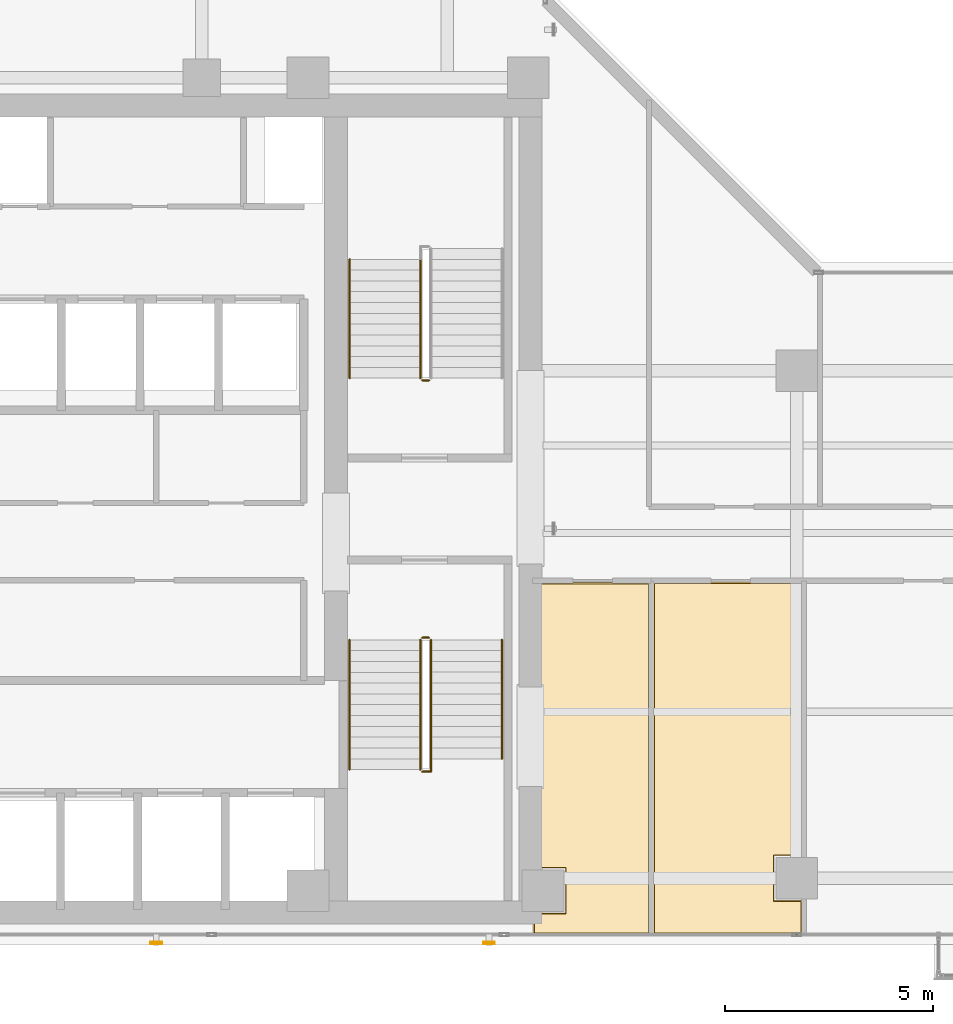
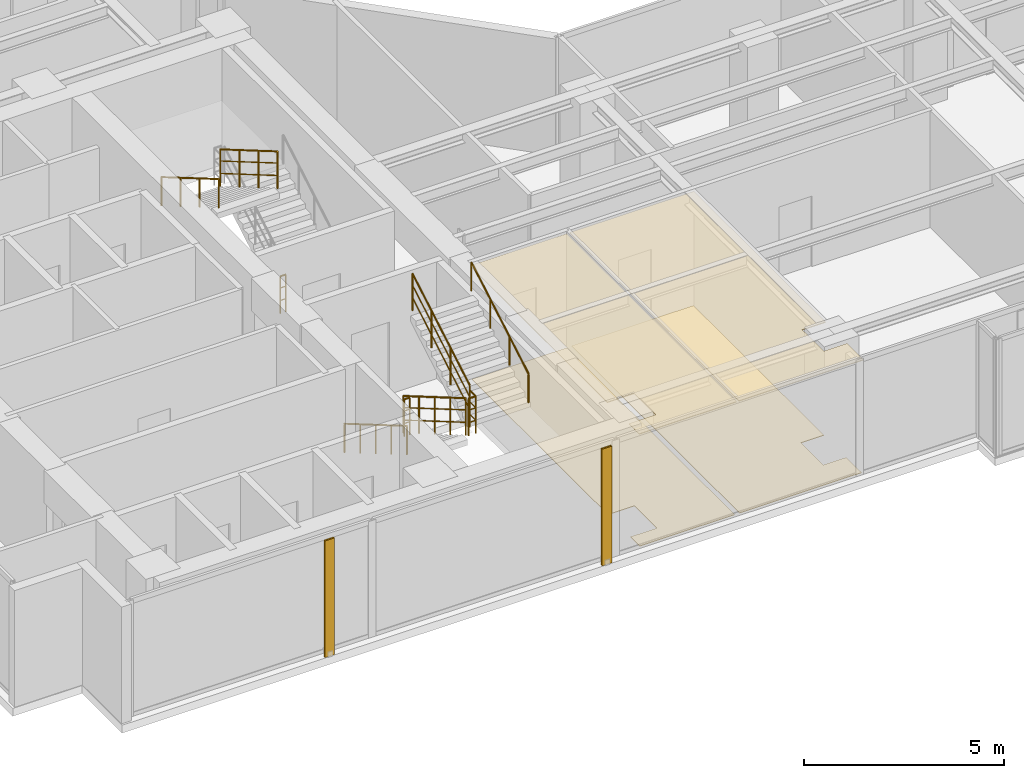
# One storey, part 20 of 23: 9 railings, 4 coverings, 2 shading devices.
"""IFC4 building model written with IfcOpenShell, lengths in metres."""

import ifcopenshell
import ifcopenshell.guid

model = None  # the IFC model being written
_history = None  # IfcOwnerHistory: only IFC2X3 demands one
_inside = {}  # id of a spatial element -> (the spatial element, [elements in it])
_under = {}  # id of a project, library or spatial element -> (it, [spatial elements below it])
_declared = {}  # id of a project -> (the project, [libraries it declares])
_typed = {}  # id of a type object -> (the type object, [elements of that type])
_made_of = {}  # id of a material, layer set ... -> (it, [elements and type objects made of it])


def new_model(schema):
    """Start an empty IFC model of exactly this schema.

    Asked for "IFC4X3", IfcOpenShell would pick the latest addendum, in which some entities
    have other attributes; the version numbers below select the first issue.
    IFC2X3 requires an IfcOwnerHistory on every rooted entity: one is made here for all.
    """
    global model, _history
    if schema == "IFC4X3":
        model = ifcopenshell.file(schema_version=(4, 3, 0, 0))
    else:
        model = ifcopenshell.file(schema=schema)
    _inside.clear()
    _under.clear()
    _declared.clear()
    _typed.clear()
    _made_of.clear()
    _history = None
    if model.schema == "IFC2X3":
        org = make("IfcOrganization", Name="unknown")
        user = make(
            "IfcPersonAndOrganization",
            ThePerson=make("IfcPerson", FamilyName="unknown"),
            TheOrganization=org,
        )
        app = make(
            "IfcApplication",
            ApplicationDeveloper=org,
            Version="unknown",
            ApplicationFullName="unknown",
            ApplicationIdentifier="unknown",
        )
        _history = make(
            "IfcOwnerHistory",
            OwningUser=user,
            OwningApplication=app,
            ChangeAction="ADDED",
            CreationDate=0,
        )
    return model


def make(cls, **values):
    """One entity of the class cls with the attributes given. An attribute that is None is left unset."""
    return model.create_entity(
        cls, **{name: value for name, value in values.items() if value is not None}
    )


def rooted(cls, **values):
    """An entity with a GlobalId (a new one), such as an element, a storey or a relation."""
    return make(cls, GlobalId=ifcopenshell.guid.new(), OwnerHistory=_history, **values)


def si_unit(unit_type, name, prefix=None):
    """IfcSIUnit, for example si_unit("LENGTHUNIT", "METRE", prefix="MILLI")."""
    return make("IfcSIUnit", UnitType=unit_type, Prefix=prefix, Name=name)


def assignment(units):
    """IfcUnitAssignment: the units of a project."""
    return None if units is None else make("IfcUnitAssignment", Units=units)


def point(xyz):
    """IfcCartesianPoint."""
    return None if xyz is None else make("IfcCartesianPoint", Coordinates=xyz)


def direction(xyz):
    """IfcDirection."""
    return None if xyz is None else make("IfcDirection", DirectionRatios=xyz)


def frame(location, z_axis=None, x_axis=None):
    """IfcAxis2Placement3D, a coordinate frame: its origin and axes. An axis left out is left unset."""
    return make(
        "IfcAxis2Placement3D",
        Location=point(location),
        Axis=direction(z_axis),
        RefDirection=direction(x_axis),
    )


def frame_2d(location, x_axis=None):
    """IfcAxis2Placement2D, a coordinate frame in the plane: its origin and x axis."""
    return make(
        "IfcAxis2Placement2D", Location=point(location), RefDirection=direction(x_axis)
    )


def origin():
    """The frame at (0, 0, 0) with its axes left unset."""
    return frame((0.0, 0.0, 0.0))


def origin_2d():
    """The frame at (0, 0) in the plane with its x axis left unset."""
    return frame_2d((0.0, 0.0))


def place(relative_to, where):
    """IfcLocalPlacement: puts the frame where relative to a parent placement (None: the world)."""
    return make(
        "IfcLocalPlacement", PlacementRelTo=relative_to, RelativePlacement=where
    )


def context(
    kind, dimensions, precision=None, world=None, true_north=None, identifier=None
):
    """IfcGeometricRepresentationContext, for example the 3D "Model" context."""
    return make(
        "IfcGeometricRepresentationContext",
        ContextIdentifier=identifier,
        ContextType=kind,
        CoordinateSpaceDimension=dimensions,
        Precision=precision,
        WorldCoordinateSystem=world,
        TrueNorth=true_north,
    )


def subcontext(parent, identifier, kind, view, scale=None):
    """IfcGeometricRepresentationSubContext, for example "Body" below "Model"."""
    return make(
        "IfcGeometricRepresentationSubContext",
        ContextIdentifier=identifier,
        ContextType=kind,
        ParentContext=parent,
        TargetScale=scale,
        TargetView=view,
    )


def project(units=None, contexts=None):
    """IfcProject with its units and contexts."""
    return rooted(
        "IfcProject",
        Name="project",
        RepresentationContexts=contexts,
        UnitsInContext=assignment(units),
    )


def spatial(cls, under=None, at=None, **own):
    """A site, building, storey or space (cls), placed at a placement, below another one or the project."""
    s = rooted(cls, ObjectPlacement=at, **own)
    if under is not None:
        _under.setdefault(under.id(), (under, []))[1].append(s)
    return s


def polyline(points):
    """IfcPolyline through the points."""
    return make("IfcPolyline", Points=[point(p) for p in points])


def profile(cls, at=None, kind="AREA", **sizes):
    """A parametric profile (cls). Its sizes go by their IFC names, for example OverallWidth=200.0."""
    return make(cls, ProfileType=kind, Position=at, **sizes)


def hollow_rectangle(**sizes):
    """IfcRectangleHollowProfileDef."""
    return profile("IfcRectangleHollowProfileDef", **sizes)


def circle(**sizes):
    """IfcCircleProfileDef."""
    return profile("IfcCircleProfileDef", **sizes)


def outline(outer, holes=None, kind="AREA"):
    """IfcArbitraryClosedProfileDef: a profile drawn as a closed curve; with holes, ...WithVoids."""
    if holes is None:
        return make("IfcArbitraryClosedProfileDef", ProfileType=kind, OuterCurve=outer)
    return make(
        "IfcArbitraryProfileDefWithVoids",
        ProfileType=kind,
        OuterCurve=outer,
        InnerCurves=holes,
    )


def extrude(swept, where, along, depth):
    """IfcExtrudedAreaSolid: the profile swept, set in the frame where, extruded along a direction by depth."""
    return make(
        "IfcExtrudedAreaSolid",
        SweptArea=swept,
        Position=where,
        ExtrudedDirection=direction(along),
        Depth=depth,
    )


def shape(context_of_items, identifier, shape_type, items):
    """IfcShapeRepresentation: the items that make up one representation, for example the "Body"."""
    return make(
        "IfcShapeRepresentation",
        ContextOfItems=context_of_items,
        RepresentationIdentifier=identifier,
        RepresentationType=shape_type,
        Items=items,
    )


def material(Name=None, Category=None):
    """IfcMaterial."""
    return make("IfcMaterial", Name=Name, Category=Category)


def layer(
    of_material, thickness, ventilated=None, Name=None, Category=None, Priority=None
):
    """IfcMaterialLayer: one layer of a wall or slab, of a material (None: an air gap)."""
    return make(
        "IfcMaterialLayer",
        Material=of_material,
        LayerThickness=thickness,
        IsVentilated=ventilated,
        Name=Name,
        Category=Category,
        Priority=Priority,
    )


def layer_set(layers, Name=None):
    """IfcMaterialLayerSet."""
    return make("IfcMaterialLayerSet", MaterialLayers=layers, LayerSetName=Name)


def material_profile(
    of_material, cross_section, Name=None, Category=None, Priority=None
):
    """IfcMaterialProfile: a cross section and its material."""
    return make(
        "IfcMaterialProfile",
        Name=Name,
        Material=of_material,
        Profile=cross_section,
        Priority=Priority,
        Category=Category,
    )


def profile_set(profiles, Name=None, composite=None):
    """IfcMaterialProfileSet."""
    return make(
        "IfcMaterialProfileSet",
        Name=Name,
        MaterialProfiles=profiles,
        CompositeProfile=composite,
    )


def made_of(thing, what):
    """Note that an element or type object is made of a material, layer set ...; save() writes the relation."""
    if what is not None:
        _made_of.setdefault(what.id(), (what, []))[1].append(thing)
    return thing


def type_object(cls, material=None, **own):
    """A type object (cls), such as IfcWallType, which elements share."""
    return made_of(rooted(cls, **own), material)


def element(
    cls,
    number,
    at=None,
    inside=None,
    cuts=None,
    type_object=None,
    material=None,
    context=None,
    identifier="Body",
    shape_type=None,
    held_by="IfcProductDefinitionShape",
    body=None,
    shapes=None,
    **own,
):
    """One element of the class cls, such as IfcWall. Its Tag is "e" and its number.

    at: its placement. inside: the storey or other place that contains it. cuts: it is an
    opening in that element (IfcRelVoidsElement). A single representation is given by context,
    identifier, shape_type and body (its items); several are given by shapes. held_by: the class
    of the entity that holds the representations. save() writes the other relations.
    """
    e = rooted(cls, Tag="e%d" % number, ObjectPlacement=at, **own)
    if body is not None:
        shapes = [shape(context, identifier, shape_type, body)]
    if shapes is not None:
        e.Representation = make(held_by, Representations=shapes)
    if inside is not None:
        _inside.setdefault(inside.id(), (inside, []))[1].append(e)
    if cuts is not None:
        rooted(
            "IfcRelVoidsElement", RelatingBuildingElement=cuts, RelatedOpeningElement=e
        )
    if type_object is not None:
        _typed.setdefault(type_object.id(), (type_object, []))[1].append(e)
    return made_of(e, material)


def aggregate(whole, parts):
    """IfcRelAggregates: a whole, such as a stair, and the parts it consists of."""
    return rooted("IfcRelAggregates", RelatingObject=whole, RelatedObjects=parts)


def save(model, path):
    """Write the relations noted so far, then the file.

    IfcRelAggregates (storeys below a building ...), IfcRelContainedInSpatialStructure (elements
    in a storey), IfcRelDefinesByType, IfcRelAssociatesMaterial and IfcRelDeclares: one each for
    every whole, place, type object, material and project.
    """
    for whole, parts in _under.values():
        aggregate(whole, parts)
    for where, things in _inside.values():
        rooted(
            "IfcRelContainedInSpatialStructure",
            RelatedElements=things,
            RelatingStructure=where,
        )
    for kind, things in _typed.values():
        rooted("IfcRelDefinesByType", RelatedObjects=things, RelatingType=kind)
    for what, things in _made_of.values():
        rooted("IfcRelAssociatesMaterial", RelatedObjects=things, RelatingMaterial=what)
    for by, libraries in _declared.values():
        rooted("IfcRelDeclares", RelatingContext=by, RelatedDefinitions=libraries)
    model.write(path)


model = new_model("IFC4")

# Units and contexts
model_context = context("Model", 3, precision=1e-05, world=origin(), true_north=direction((0.0, 1.0)))
body_context = subcontext(model_context, "Body", "Model", "MODEL_VIEW")
ifc_project = project(units=[si_unit("LENGTHUNIT", "METRE"), si_unit("AREAUNIT", "SQUARE_METRE"), si_unit("VOLUMEUNIT", "CUBIC_METRE"), si_unit("PLANEANGLEUNIT", "RADIAN"), si_unit("MASSUNIT", "GRAM", prefix="KILO")], contexts=[model_context])

# Site, building, storey
site_placement = place(None, origin())
site = spatial("IfcSite", under=ifc_project, at=site_placement, CompositionType="ELEMENT")
building_placement = place(site_placement, origin())
building = spatial("IfcBuilding", under=site, at=building_placement, Name="Kolvaren Waterfront Exchange", CompositionType="ELEMENT")
storey_placement = place(building_placement, frame((0.0, 0.0, 234.89990234375)))
storey = spatial("IfcBuildingStorey", under=building, at=storey_placement, Name="L60", CompositionType="ELEMENT", Elevation=234.89990234375)

# Coverings
ifc_material_1 = material(Name="Mineral fibre acoustic ceiling tile")
ifc_layer_1 = layer(ifc_material_1, 0.02490234375, Name="Mineral fibre acoustic ceiling tile")
ifc_layer_set_1 = layer_set([ifc_layer_1], Name="Mineral fibre acoustic ceiling tile")
covering_type_1 = type_object("IfcCoveringType", Name="ARC-CEIL-ACOUSTIC-25", PredefinedType="CEILING", material=ifc_layer_set_1)
covering_1_placement = place(storey_placement, frame((0.0, 0.0, 3.445068359375)))
element("IfcCovering", 1, at=covering_1_placement, inside=storey, type_object=covering_type_1, Name="L60 acoustic suspended ceiling 2", PredefinedType="CEILING", context=body_context, shape_type="SweptSolid", body=[
    extrude(outline(polyline([(20.864990234375, 5.43994140625), (21.639892578125, 5.43994140625), (21.639892578125, 4.360107421875), (20.864990234375, 4.360107421875), (20.864990234375, 3.844970703125), (23.675048828125, 3.844970703125), (23.675048828125, 12.304931640625), (20.864990234375, 12.304931640625), (20.864990234375, 5.43994140625)])), origin(), (0.0, 0.0, 1.0), 0.025146484375),
])
covering_2_placement = place(storey_placement, frame((0.0, 0.0, 3.445068359375)))
element("IfcCovering", 2, at=covering_2_placement, inside=storey, type_object=covering_type_1, Name="L60 acoustic suspended ceiling 3", PredefinedType="CEILING", context=body_context, shape_type="SweptSolid", body=[
    extrude(outline(polyline([(27.3349609375, 4.659912109375), (26.659912109375, 4.659912109375), (26.659912109375, 5.739990234375), (27.3349609375, 5.739990234375), (27.3349609375, 12.31494140625), (23.7451171875, 12.31494140625), (23.7451171875, 3.844970703125), (27.3349609375, 3.844970703125), (27.3349609375, 4.659912109375)])), origin(), (0.0, 0.0, 1.0), 0.025146484375),
])

# Shading devices
ifc_material_2 = material(Name="Anodised bronze aluminium 6063-T6", Category="aluminium")
ifc_material_profile = material_profile(ifc_material_2, hollow_rectangle(XDim=0.054931640625, YDim=0.280029296875, WallThickness=0.00439453125, at=origin_2d()), Name="BRZ-FIN-280x55x4.5")
ifc_profile_set = profile_set([ifc_material_profile], Name="Anodised bronze aluminium 6063-T6")
shading_device_type = type_object("IfcShadingDeviceType", Name="ARC-FIN-280", PredefinedType="USERDEFINED", material=ifc_profile_set)
for number, where, z_axis, x_axis, name in (
    (3, (11.800048828125, 3.639892578125, 0.0), (0.0, 0.0, 1.0), (0.0, -1.0, 0.0), "L60 anodised bronze solar shading fin FIN-L60-S1"),
    (4, (19.800048828125, 3.639892578125, 0.0), (0.0, 0.0, 1.0), (0.0, -1.0, 0.0), "L60 anodised bronze solar shading fin FIN-L60-S2"),
):
    element("IfcShadingDevice", number, at=place(storey_placement, frame(where, z_axis=z_axis, x_axis=x_axis)), inside=storey, type_object=shading_device_type, Name=name, ObjectType="SOLAR FIN", PredefinedType="USERDEFINED", context=body_context, shape_type="SweptSolid", body=[
        extrude(hollow_rectangle(XDim=0.054931640625, YDim=0.280029296875, WallThickness=0.00439453125, at=origin_2d()), origin(), (0.0, 0.0, 1.0), 3.56005859375),
    ])

# Coverings
ifc_material_3 = material(Name="Slip-resistant porcelain tile")
ifc_layer_2 = layer(ifc_material_3, 0.014892578125, Name="Slip-resistant porcelain tile")
ifc_layer_set_2 = layer_set([ifc_layer_2], Name="Slip-resistant porcelain tile")
covering_type_2 = type_object("IfcCoveringType", Name="ARC-FLR-PORC-15", PredefinedType="FLOORING", material=ifc_layer_set_2)
covering_3_placement = place(storey_placement, origin())
element("IfcCovering", 5, at=covering_3_placement, inside=storey, type_object=covering_type_2, Name="L60 floor finish 2", PredefinedType="FLOORING", context=body_context, shape_type="SweptSolid", body=[
    extrude(outline(polyline([(20.89990234375, 4.340087890625), (20.89990234375, 3.8798828125), (23.639892578125, 3.8798828125), (23.639892578125, 12.27001953125), (20.89990234375, 12.27001953125), (20.89990234375, 5.4599609375), (21.659912109375, 5.4599609375), (21.659912109375, 4.340087890625), (20.89990234375, 4.340087890625)])), origin(), (0.0, 0.0, 1.0), 0.01513671875),
])
covering_4_placement = place(storey_placement, origin())
element("IfcCovering", 6, at=covering_4_placement, inside=storey, type_object=covering_type_2, Name="L60 floor finish 3", PredefinedType="FLOORING", context=body_context, shape_type="SweptSolid", body=[
    extrude(outline(polyline([(23.780029296875, 12.280029296875), (23.780029296875, 3.8798828125), (27.300048828125, 3.8798828125), (27.300048828125, 4.639892578125), (26.639892578125, 4.639892578125), (26.639892578125, 5.760009765625), (27.300048828125, 5.760009765625), (27.300048828125, 12.280029296875), (23.780029296875, 12.280029296875)])), origin(), (0.0, 0.0, 1.0), 0.01513671875),
])

# Railings
ifc_material_4 = material(Name="Stainless steel 316", Category="steel")
railing_type_1 = type_object("IfcRailingType", Name="ARC-GUARD-STAIR", PredefinedType="GUARDRAIL", material=ifc_material_4)
railing_1_placement = place(storey_placement, frame((18.14990234375, 10.929931640625, 0.152099609375)))
element("IfcRailing", 7, at=railing_1_placement, inside=storey, type_object=railing_type_1, Name="L60 ST1 stair guard 1", PredefinedType="GUARDRAIL", context=body_context, shape_type="SweptSolid", body=[
    extrude(circle(Radius=0.02392578125, at=origin_2d()), frame((0.0, 0.0, 1.1259765625), z_axis=(0.0, -0.86329090724, 0.504706656858), x_axis=(1.0, 0.0, 0.0)), (0.0, 0.0, 1.0), 3.614013671875),
    extrude(circle(Radius=0.01611328125, at=origin_2d()), frame((0.0, 0.0, 0.390869140625), z_axis=(0.0, -0.86329090724, 0.504706656858), x_axis=(1.0, 0.0, 0.0)), (0.0, 0.0, 1.0), 3.614013671875),
    extrude(circle(Radius=0.01611328125, at=origin_2d()), frame((0.0, 0.0, 0.7705078125), z_axis=(0.0, -0.86329090724, 0.504706656858), x_axis=(1.0, 0.0, 0.0)), (0.0, 0.0, 1.0), 3.614013671875),
    extrude(circle(Radius=0.02099609375, at=origin_2d()), origin(), (0.0, 0.0, 1.0), 1.101806640625),
    extrude(circle(Radius=0.02099609375, at=origin_2d()), frame((0.0, -0.780029296875, 0.4560546875)), (0.0, 0.0, 1.0), 1.101806640625),
    extrude(circle(Radius=0.02099609375, at=origin_2d()), frame((0.0, -1.56005859375, 0.912109375)), (0.0, 0.0, 1.0), 1.101806640625),
    extrude(circle(Radius=0.02099609375, at=origin_2d()), frame((0.0, -2.33984375, 1.367919921875)), (0.0, 0.0, 1.0), 1.101806640625),
    extrude(circle(Radius=0.02099609375, at=origin_2d()), frame((0.0, -3.119873046875, 1.823974609375)), (0.0, 0.0, 1.0), 1.101806640625),
])
railing_2_placement = place(storey_placement, frame((18.199951171875, 7.760009765625, 1.97607421875)))
element("IfcRailing", 8, at=railing_2_placement, inside=storey, type_object=railing_type_1, Name="L60 ST1 stair guard 2", PredefinedType="GUARDRAIL", context=body_context, shape_type="SweptSolid", body=[
    extrude(circle(Radius=0.02392578125, at=origin_2d()), frame((0.0, 0.0, 1.1259765625), z_axis=(1.0, 0.0, 0.0), x_axis=(0.0, 1.0, 0.0)), (0.0, 0.0, 1.0), 0.2099609375),
    extrude(circle(Radius=0.01611328125, at=origin_2d()), frame((0.0, 0.0, 0.390869140625), z_axis=(1.0, 0.0, 0.0), x_axis=(0.0, 1.0, 0.0)), (0.0, 0.0, 1.0), 0.2099609375),
    extrude(circle(Radius=0.01611328125, at=origin_2d()), frame((0.0, 0.0, 0.7705078125), z_axis=(1.0, 0.0, 0.0), x_axis=(0.0, 1.0, 0.0)), (0.0, 0.0, 1.0), 0.2099609375),
    extrude(circle(Radius=0.02392578125, at=origin_2d()), frame((0.2099609375, 0.0, 1.1259765625), z_axis=(0.0, 1.0, 0.0), x_axis=(-1.0, 0.0, 0.0)), (0.0, 0.0, 1.0), 0.31005859375),
    extrude(circle(Radius=0.01611328125, at=origin_2d()), frame((0.2099609375, 0.0, 0.390869140625), z_axis=(0.0, 1.0, 0.0), x_axis=(-1.0, 0.0, 0.0)), (0.0, 0.0, 1.0), 0.31005859375),
    extrude(circle(Radius=0.01611328125, at=origin_2d()), frame((0.2099609375, 0.0, 0.7705078125), z_axis=(0.0, 1.0, 0.0), x_axis=(-1.0, 0.0, 0.0)), (0.0, 0.0, 1.0), 0.31005859375),
    extrude(circle(Radius=0.02099609375, at=origin_2d()), origin(), (0.0, 0.0, 1.0), 1.101806640625),
    extrude(circle(Radius=0.02099609375, at=origin_2d()), frame((0.2099609375, 0.0, 0.0)), (0.0, 0.0, 1.0), 1.101806640625),
    extrude(circle(Radius=0.02099609375, at=origin_2d()), frame((0.2099609375, 0.31005859375, 0.0)), (0.0, 0.0, 1.0), 1.101806640625),
])
railing_3_placement = place(storey_placement, frame((18.409912109375, 8.070068359375, 2.128173828125)))
element("IfcRailing", 9, at=railing_3_placement, inside=storey, type_object=railing_type_1, Name="L60 ST1 stair guard 3", PredefinedType="GUARDRAIL", context=body_context, shape_type="SweptSolid", body=[
    extrude(circle(Radius=0.02392578125, at=origin_2d()), frame((0.0, 0.0, 1.1259765625), z_axis=(0.0, 0.86330272217, 0.504686447108), x_axis=(-1.0, 0.0, 0.0)), (0.0, 0.0, 1.0), 3.312744140625),
    extrude(circle(Radius=0.01611328125, at=origin_2d()), frame((0.0, 0.0, 0.390869140625), z_axis=(0.0, 0.86330272217, 0.504686447108), x_axis=(-1.0, 0.0, 0.0)), (0.0, 0.0, 1.0), 3.312744140625),
    extrude(circle(Radius=0.01611328125, at=origin_2d()), frame((0.0, 0.0, 0.7705078125), z_axis=(0.0, 0.86330272217, 0.504686447108), x_axis=(-1.0, 0.0, 0.0)), (0.0, 0.0, 1.0), 3.312744140625),
    extrude(circle(Radius=0.02099609375, at=origin_2d()), origin(), (0.0, 0.0, 1.0), 1.101806640625),
    extrude(circle(Radius=0.02099609375, at=origin_2d()), frame((0.0, 0.953369140625, 0.557373046875)), (0.0, 0.0, 1.0), 1.101806640625),
    extrude(circle(Radius=0.02099609375, at=origin_2d()), frame((0.0, 1.906494140625, 1.114501953125)), (0.0, 0.0, 1.0), 1.101806640625),
    extrude(circle(Radius=0.02099609375, at=origin_2d()), frame((0.0, 2.85986328125, 1.671875)), (0.0, 0.0, 1.0), 1.101806640625),
])
railing_4_placement = place(storey_placement, frame((18.199951171875, 10.97998046875, 0.0)))
element("IfcRailing", 10, at=railing_4_placement, inside=storey, type_object=railing_type_1, Name="L60 ST1 stair guard 4", PredefinedType="GUARDRAIL", context=body_context, shape_type="SweptSolid", body=[
    extrude(circle(Radius=0.02392578125, at=origin_2d()), frame((0.0, 0.0, 1.1259765625), z_axis=(1.0, 0.0, 0.0), x_axis=(0.0, 1.0, 0.0)), (0.0, 0.0, 1.0), 0.16015625),
    extrude(circle(Radius=0.01611328125, at=origin_2d()), frame((0.0, 0.0, 0.390869140625), z_axis=(1.0, 0.0, 0.0), x_axis=(0.0, 1.0, 0.0)), (0.0, 0.0, 1.0), 0.16015625),
    extrude(circle(Radius=0.01611328125, at=origin_2d()), frame((0.0, 0.0, 0.7705078125), z_axis=(1.0, 0.0, 0.0), x_axis=(0.0, 1.0, 0.0)), (0.0, 0.0, 1.0), 0.16015625),
    extrude(circle(Radius=0.02099609375, at=origin_2d()), origin(), (0.0, 0.0, 1.0), 1.101806640625),
    extrude(circle(Radius=0.02099609375, at=origin_2d()), frame((0.16015625, 0.0, 0.0)), (0.0, 0.0, 1.0), 1.101806640625),
])
railing_5_placement = place(storey_placement, frame((18.14990234375, 20.080078125, 2.128173828125)))
element("IfcRailing", 11, at=railing_5_placement, inside=storey, type_object=railing_type_1, Name="L60 ST2 stair guard 3", PredefinedType="GUARDRAIL", context=body_context, shape_type="SweptSolid", body=[
    extrude(circle(Radius=0.02392578125, at=origin_2d()), frame((0.0, 0.0, 1.1259765625), z_axis=(0.0, -0.863321491973, 0.504654338629), x_axis=(1.0, 0.0, 0.0)), (0.0, 0.0, 1.0), 3.31298828125),
    extrude(circle(Radius=0.01611328125, at=origin_2d()), frame((0.0, 0.0, 0.390869140625), z_axis=(0.0, -0.863321491973, 0.504654338629), x_axis=(1.0, 0.0, 0.0)), (0.0, 0.0, 1.0), 3.31298828125),
    extrude(circle(Radius=0.01611328125, at=origin_2d()), frame((0.0, 0.0, 0.7705078125), z_axis=(0.0, -0.863321491973, 0.504654338629), x_axis=(1.0, 0.0, 0.0)), (0.0, 0.0, 1.0), 3.31298828125),
    extrude(circle(Radius=0.02099609375, at=origin_2d()), origin(), (0.0, 0.0, 1.0), 1.101806640625),
    extrude(circle(Radius=0.02099609375, at=origin_2d()), frame((0.0, -0.953369140625, 0.557373046875)), (0.0, 0.0, 1.0), 1.101806640625),
    extrude(circle(Radius=0.02099609375, at=origin_2d()), frame((0.0, -1.90673828125, 1.114501953125)), (0.0, 0.0, 1.0), 1.101806640625),
    extrude(circle(Radius=0.02099609375, at=origin_2d()), frame((0.0, -2.860107421875, 1.671875)), (0.0, 0.0, 1.0), 1.101806640625),
])
railing_6_placement = place(storey_placement, frame((18.360107421875, 17.169921875, 0.0)))
element("IfcRailing", 12, at=railing_6_placement, inside=storey, type_object=railing_type_1, Name="L60 ST2 stair guard 4", PredefinedType="GUARDRAIL", context=body_context, shape_type="SweptSolid", body=[
    extrude(circle(Radius=0.02392578125, at=origin_2d()), frame((0.0, 0.0, 1.1259765625), z_axis=(-1.0, 0.0, 0.0), x_axis=(0.0, -1.0, 0.0)), (0.0, 0.0, 1.0), 0.16015625),
    extrude(circle(Radius=0.01611328125, at=origin_2d()), frame((0.0, 0.0, 0.390869140625), z_axis=(-1.0, 0.0, 0.0), x_axis=(0.0, -1.0, 0.0)), (0.0, 0.0, 1.0), 0.16015625),
    extrude(circle(Radius=0.01611328125, at=origin_2d()), frame((0.0, 0.0, 0.7705078125), z_axis=(-1.0, 0.0, 0.0), x_axis=(0.0, -1.0, 0.0)), (0.0, 0.0, 1.0), 0.16015625),
    extrude(circle(Radius=0.02099609375, at=origin_2d()), origin(), (0.0, 0.0, 1.0), 1.101806640625),
    extrude(circle(Radius=0.02099609375, at=origin_2d()), frame((-0.16015625, 0.0, 0.0)), (0.0, 0.0, 1.0), 1.101806640625),
])
railing_type_2 = type_object("IfcRailingType", Name="ARC-HANDRAIL-900", PredefinedType="HANDRAIL", material=ifc_material_4)
railing_7_placement = place(storey_placement, frame((16.449951171875, 10.929931640625, 0.152099609375)))
element("IfcRailing", 13, at=railing_7_placement, inside=storey, type_object=railing_type_2, Name="L60 ST1 stair handrail 1", PredefinedType="HANDRAIL", context=body_context, shape_type="SweptSolid", body=[
    extrude(circle(Radius=0.02392578125, at=origin_2d()), frame((0.0, 0.0, 0.8759765625), z_axis=(0.0, -0.86329090724, 0.504706656858), x_axis=(1.0, 0.0, 0.0)), (0.0, 0.0, 1.0), 3.614013671875),
    extrude(circle(Radius=0.02099609375, at=origin_2d()), origin(), (0.0, 0.0, 1.0), 0.851806640625),
    extrude(circle(Radius=0.02099609375, at=origin_2d()), frame((0.0, -0.780029296875, 0.4560546875)), (0.0, 0.0, 1.0), 0.851806640625),
    extrude(circle(Radius=0.02099609375, at=origin_2d()), frame((0.0, -1.56005859375, 0.912109375)), (0.0, 0.0, 1.0), 0.851806640625),
    extrude(circle(Radius=0.02099609375, at=origin_2d()), frame((0.0, -2.33984375, 1.367919921875)), (0.0, 0.0, 1.0), 0.851806640625),
    extrude(circle(Radius=0.02099609375, at=origin_2d()), frame((0.0, -3.119873046875, 1.823974609375)), (0.0, 0.0, 1.0), 0.851806640625),
])
railing_8_placement = place(storey_placement, frame((20.110107421875, 8.070068359375, 2.128173828125)))
element("IfcRailing", 14, at=railing_8_placement, inside=storey, type_object=railing_type_2, Name="L60 ST1 stair handrail 2", PredefinedType="HANDRAIL", context=body_context, shape_type="SweptSolid", body=[
    extrude(circle(Radius=0.02392578125, at=origin_2d()), frame((0.0, 0.0, 0.8759765625), z_axis=(0.0, 0.86330272217, 0.504686447108), x_axis=(-1.0, 0.0, 0.0)), (0.0, 0.0, 1.0), 3.312744140625),
    extrude(circle(Radius=0.02099609375, at=origin_2d()), origin(), (0.0, 0.0, 1.0), 0.851806640625),
    extrude(circle(Radius=0.02099609375, at=origin_2d()), frame((0.0, 0.953369140625, 0.557373046875)), (0.0, 0.0, 1.0), 0.851806640625),
    extrude(circle(Radius=0.02099609375, at=origin_2d()), frame((0.0, 1.906494140625, 1.114501953125)), (0.0, 0.0, 1.0), 0.851806640625),
    extrude(circle(Radius=0.02099609375, at=origin_2d()), frame((0.0, 2.85986328125, 1.671875)), (0.0, 0.0, 1.0), 0.851806640625),
])
railing_9_placement = place(storey_placement, frame((16.449951171875, 20.080078125, 2.128173828125)))
element("IfcRailing", 15, at=railing_9_placement, inside=storey, type_object=railing_type_2, Name="L60 ST2 stair handrail 2", PredefinedType="HANDRAIL", context=body_context, shape_type="SweptSolid", body=[
    extrude(circle(Radius=0.02392578125, at=origin_2d()), frame((0.0, 0.0, 0.8759765625), z_axis=(0.0, -0.863321491973, 0.504654338629), x_axis=(1.0, 0.0, 0.0)), (0.0, 0.0, 1.0), 3.31298828125),
    extrude(circle(Radius=0.02099609375, at=origin_2d()), origin(), (0.0, 0.0, 1.0), 0.851806640625),
    extrude(circle(Radius=0.02099609375, at=origin_2d()), frame((0.0, -0.953369140625, 0.557373046875)), (0.0, 0.0, 1.0), 0.851806640625),
    extrude(circle(Radius=0.02099609375, at=origin_2d()), frame((0.0, -1.90673828125, 1.114501953125)), (0.0, 0.0, 1.0), 0.851806640625),
    extrude(circle(Radius=0.02099609375, at=origin_2d()), frame((0.0, -2.860107421875, 1.671875)), (0.0, 0.0, 1.0), 0.851806640625),
])

save(model, "model.ifc")
